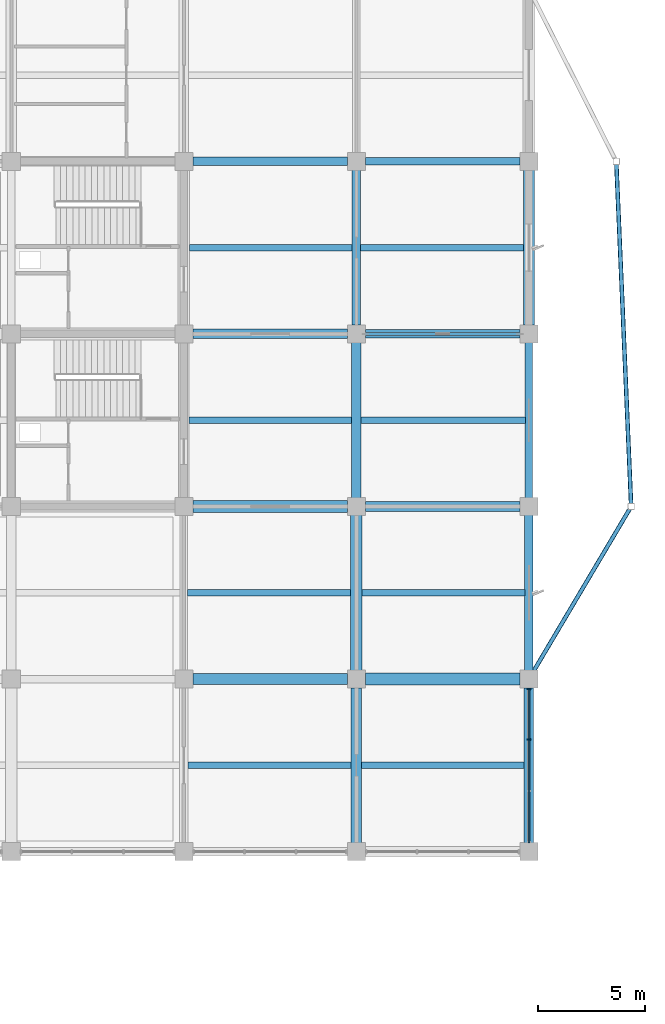
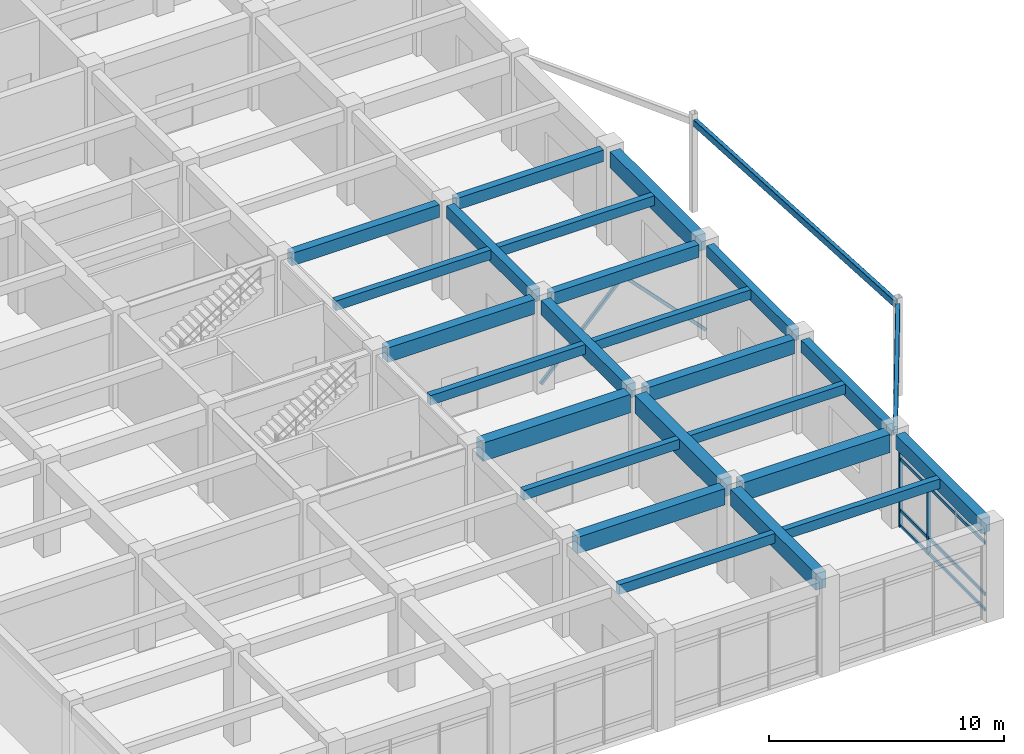
# One storey, part 40 of 99: 26 beams, 8 members, 1 element without a shape of its own.
"""IFC4 building model written with IfcOpenShell, lengths in metres."""

from ifc_helpers import new_model, si_unit, direction, frame, origin, origin_2d, place, context, subcontext, project, spatial, rectangle, hollow_rectangle, extrude, material, layer, layer_set, material_profile, profile_set, type_object, element, aggregate, save


model = new_model("IFC4")

# Units and contexts
model_context = context("Model", 3, precision=1e-05, world=origin(), true_north=direction((0.0, 1.0)))
body_context = subcontext(model_context, "Body", "Model", "MODEL_VIEW")
ifc_project = project(units=[si_unit("LENGTHUNIT", "METRE"), si_unit("AREAUNIT", "SQUARE_METRE"), si_unit("VOLUMEUNIT", "CUBIC_METRE"), si_unit("PLANEANGLEUNIT", "RADIAN"), si_unit("MASSUNIT", "GRAM", prefix="KILO")], contexts=[model_context])

# Site, building, storey
site_placement = place(None, origin())
site = spatial("IfcSite", under=ifc_project, at=site_placement, CompositionType="ELEMENT")
building_placement = place(site_placement, origin())
building = spatial("IfcBuilding", under=site, at=building_placement, Name="Vaudrelin Polytechnic", CompositionType="ELEMENT")
storey_placement = place(building_placement, origin())
storey = spatial("IfcBuildingStorey", under=building, at=storey_placement, Name="L00", CompositionType="ELEMENT", Elevation=0.0)

# Beams
ifc_material_1 = material(Name="Concrete 40 MPa", Category="concrete")
ifc_material_profile_1 = material_profile(ifc_material_1, rectangle(XDim=0.35009765625, YDim=0.60009765625, at=origin_2d()), Name="RC350x600")
ifc_profile_set_1 = profile_set([ifc_material_profile_1], Name="Concrete 40 MPa")
beam_type_1 = type_object("IfcBeamType", Name="BM-BM-RC3560", PredefinedType="BEAM", material=ifc_profile_set_1)
beam_1_placement = place(storey_placement, frame((170.10009765625, 32.81005859375, 4.52001953125), z_axis=(0.0, 1.0, 0.0), x_axis=(-1.0, 0.0, 0.0)))
element("IfcBeam", 1, at=beam_1_placement, inside=storey, type_object=beam_type_1, Name="L00 Y-beam 22-5", PredefinedType="BEAM", context=body_context, shape_type="SweptSolid", body=[
    extrude(rectangle(XDim=0.35009765625, YDim=0.60009765625, at=origin_2d()), origin(), (0.0, 0.0, 1.0), 7.280029296875),
])
beam_2_placement = place(storey_placement, frame((162.4208984375, 48.60009765625, 4.52001953125), z_axis=(1.0, 0.0, 0.0), x_axis=(0.0, 1.0, 0.0)))
element("IfcBeam", 2, at=beam_2_placement, inside=storey, type_object=beam_type_1, Name="L00 X-beam 21-7", PredefinedType="BEAM", context=body_context, shape_type="SweptSolid", body=[
    extrude(rectangle(XDim=0.35009765625, YDim=0.60009765625, at=origin_2d()), origin(), (0.0, 0.0, 1.0), 7.258056640625),
])
ifc_material_profile_2 = material_profile(ifc_material_1, rectangle(XDim=0.39990234375, YDim=0.64990234375, at=origin_2d()), Name="RC400x650")
ifc_profile_set_2 = profile_set([ifc_material_profile_2], Name="Concrete 40 MPa")
beam_type_2 = type_object("IfcBeamType", Name="BM-BM-RC4065", PredefinedType="BEAM", material=ifc_profile_set_2)
beam_3_placement = place(storey_placement, frame((162.0, 40.909912109375, 4.4951171875), z_axis=(0.0, 1.0, 0.0), x_axis=(-1.0, 0.0, 0.0)))
element("IfcBeam", 3, at=beam_3_placement, inside=storey, type_object=beam_type_2, Name="L00 Y-beam 21-6", PredefinedType="BEAM", context=body_context, shape_type="SweptSolid", body=[
    extrude(rectangle(XDim=0.39990234375, YDim=0.64990234375, at=origin_2d()), origin(), (0.0, 0.0, 1.0), 7.280029296875),
])
for number, where, z_axis, x_axis, name in (
    (4, (154.321044921875, 48.60009765625, 4.4951171875), (1.0, 0.0, 0.0), (0.0, 1.0, 0.0), "L00 X-beam 20-7"),
    (5, (162.4208984375, 40.5, 4.4951171875), (1.0, 0.0, 0.0), (0.0, 1.0, 0.0), "L00 X-beam 21-6"),
):
    element("IfcBeam", number, at=place(storey_placement, frame(where, z_axis=z_axis, x_axis=x_axis)), inside=storey, type_object=beam_type_2, Name=name, PredefinedType="BEAM", context=body_context, shape_type="SweptSolid", body=[
        extrude(rectangle(XDim=0.39990234375, YDim=0.64990234375, at=origin_2d()), origin(), (0.0, 0.0, 1.0), 7.258056640625),
    ])
ifc_material_profile_3 = material_profile(ifc_material_1, rectangle(XDim=0.449951171875, YDim=0.75, at=origin_2d()), Name="RC450x750")
ifc_profile_set_3 = profile_set([ifc_material_profile_3], Name="Concrete 40 MPa")
beam_type_3 = type_object("IfcBeamType", Name="BM-BM-RC4575", PredefinedType="BEAM", material=ifc_profile_set_3)
beam_4_placement = place(storey_placement, frame((162.0, 32.81005859375, 4.445068359375), z_axis=(0.0, 1.0, 0.0), x_axis=(-1.0, 0.0, 0.0)))
element("IfcBeam", 6, at=beam_4_placement, inside=storey, type_object=beam_type_3, Name="L00 Y-beam 21-5", PredefinedType="BEAM", context=body_context, shape_type="SweptSolid", body=[
    extrude(rectangle(XDim=0.449951171875, YDim=0.75, at=origin_2d()), origin(), (0.0, 0.0, 1.0), 7.280029296875),
])
beam_5_placement = place(storey_placement, frame((170.10009765625, 16.610107421875, 4.445068359375), z_axis=(0.0, 1.0, 0.0), x_axis=(-1.0, 0.0, 0.0)))
element("IfcBeam", 7, at=beam_5_placement, inside=storey, type_object=beam_type_3, Name="L00 Y-beam 22-3", PredefinedType="BEAM", context=body_context, shape_type="SweptSolid", body=[
    extrude(rectangle(XDim=0.449951171875, YDim=0.75, at=origin_2d()), origin(), (0.0, 0.0, 1.0), 7.27978515625),
])
for number, where, z_axis, x_axis, name in (
    (8, (154.321044921875, 40.5, 4.445068359375), (1.0, 0.0, 0.0), (0.0, 1.0, 0.0), "L00 X-beam 20-6"),
    (9, (162.4208984375, 32.39990234375, 4.445068359375), (1.0, 0.0, 0.0), (0.0, 1.0, 0.0), "L00 X-beam 21-5"),
):
    element("IfcBeam", number, at=place(storey_placement, frame(where, z_axis=z_axis, x_axis=x_axis)), inside=storey, type_object=beam_type_3, Name=name, PredefinedType="BEAM", context=body_context, shape_type="SweptSolid", body=[
        extrude(rectangle(XDim=0.449951171875, YDim=0.75, at=origin_2d()), origin(), (0.0, 0.0, 1.0), 7.258056640625),
    ])
ifc_material_profile_4 = material_profile(ifc_material_1, rectangle(XDim=0.5, YDim=0.85009765625, at=origin_2d()), Name="RC500x850")
ifc_profile_set_4 = profile_set([ifc_material_profile_4], Name="Concrete 40 MPa")
beam_type_4 = type_object("IfcBeamType", Name="BM-BM-RC5085", PredefinedType="BEAM", material=ifc_profile_set_4)
beam_6_placement = place(storey_placement, frame((162.0, 16.610107421875, 4.39501953125), z_axis=(0.0, 1.0, 0.0), x_axis=(-1.0, 0.0, 0.0)))
element("IfcBeam", 10, at=beam_6_placement, inside=storey, type_object=beam_type_4, Name="L00 Y-beam 21-3", PredefinedType="BEAM", context=body_context, shape_type="SweptSolid", body=[
    extrude(rectangle(XDim=0.5, YDim=0.85009765625, at=origin_2d()), origin(), (0.0, 0.0, 1.0), 7.27978515625),
])
beam_7_placement = place(storey_placement, frame((170.10009765625, 40.909912109375, 4.39501953125), z_axis=(0.0, 1.0, 0.0), x_axis=(-1.0, 0.0, 0.0)))
element("IfcBeam", 11, at=beam_7_placement, inside=storey, type_object=beam_type_4, Name="L00 Y-beam 22-6", PredefinedType="BEAM", context=body_context, shape_type="SweptSolid", body=[
    extrude(rectangle(XDim=0.5, YDim=0.85009765625, at=origin_2d()), origin(), (0.0, 0.0, 1.0), 7.280029296875),
])
beam_8_placement = place(storey_placement, frame((154.321044921875, 24.300048828125, 4.39501953125), z_axis=(1.0, 0.0, 0.0), x_axis=(0.0, 1.0, 0.0)))
element("IfcBeam", 12, at=beam_8_placement, inside=storey, type_object=beam_type_4, Name="L00 X-beam 20-4", PredefinedType="BEAM", context=body_context, shape_type="SweptSolid", body=[
    extrude(rectangle(XDim=0.5, YDim=0.85009765625, at=origin_2d()), origin(), (0.0, 0.0, 1.0), 7.258056640625),
])
ifc_material_2 = material(Name="Concrete 50 MPa", Category="concrete")
ifc_material_profile_5 = material_profile(ifc_material_2, rectangle(XDim=0.550048828125, YDim=0.949951171875, at=origin_2d()), Name="RC550x950")
ifc_profile_set_5 = profile_set([ifc_material_profile_5], Name="Concrete 50 MPa")
beam_type_5 = type_object("IfcBeamType", Name="BM-BM-RC5595", PredefinedType="BEAM", material=ifc_profile_set_5)
beam_9_placement = place(storey_placement, frame((162.0, 24.7099609375, 4.344970703125), z_axis=(0.0, 1.0, 0.0), x_axis=(-1.0, 0.0, 0.0)))
element("IfcBeam", 13, at=beam_9_placement, inside=storey, type_object=beam_type_5, Name="L00 Y-beam 21-4", PredefinedType="BEAM", context=body_context, shape_type="SweptSolid", body=[
    extrude(rectangle(XDim=0.550048828125, YDim=0.949951171875, at=origin_2d()), origin(), (0.0, 0.0, 1.0), 7.280029296875),
])
for number, where, z_axis, x_axis, name in (
    (14, (154.321044921875, 32.39990234375, 4.344970703125), (1.0, 0.0, 0.0), (0.0, 1.0, 0.0), "L00 X-beam 20-5"),
    (15, (162.4208984375, 24.300048828125, 4.344970703125), (1.0, 0.0, 0.0), (0.0, 1.0, 0.0), "L00 X-beam 21-4"),
):
    element("IfcBeam", number, at=place(storey_placement, frame(where, z_axis=z_axis, x_axis=x_axis)), inside=storey, type_object=beam_type_5, Name=name, PredefinedType="BEAM", context=body_context, shape_type="SweptSolid", body=[
        extrude(rectangle(XDim=0.550048828125, YDim=0.949951171875, at=origin_2d()), origin(), (0.0, 0.0, 1.0), 7.258056640625),
    ])
ifc_material_profile_6 = material_profile(ifc_material_1, rectangle(XDim=0.300048828125, YDim=0.5, at=origin_2d()), Name="RC300x500")
ifc_profile_set_6 = profile_set([ifc_material_profile_6], Name="Concrete 40 MPa")
beam_type_6 = type_object("IfcBeamType", Name="BM-JS-RC3050", PredefinedType="JOIST", material=ifc_profile_set_6)
for number, where, z_axis, x_axis, name in (
    (16, (154.095947265625, 20.25, 4.570068359375), (1.0, 0.0, 0.0), (0.0, 1.0, 0.0), "L00 floor joist 20-3"),
    (17, (154.071044921875, 28.35009765625, 4.570068359375), (1.0, 0.0, 0.0), (0.0, 1.0, 0.0), "L00 floor joist 20-4"),
):
    element("IfcBeam", number, at=place(storey_placement, frame(where, z_axis=z_axis, x_axis=x_axis)), inside=storey, type_object=beam_type_6, Name=name, PredefinedType="JOIST", context=body_context, shape_type="SweptSolid", body=[
        extrude(rectangle(XDim=0.300048828125, YDim=0.5, at=origin_2d()), origin(), (0.0, 0.0, 1.0), 7.657958984375),
    ])
for number, where, z_axis, x_axis, name in (
    (18, (154.14599609375, 36.449951171875, 4.570068359375), (1.0, 0.0, 0.0), (0.0, 1.0, 0.0), "L00 floor joist 20-5"),
    (19, (154.1708984375, 44.550048828125, 4.570068359375), (1.0, 0.0, 0.0), (0.0, 1.0, 0.0), "L00 floor joist 20-6"),
):
    element("IfcBeam", number, at=place(storey_placement, frame(where, z_axis=z_axis, x_axis=x_axis)), inside=storey, type_object=beam_type_6, Name=name, PredefinedType="JOIST", context=body_context, shape_type="SweptSolid", body=[
        extrude(rectangle(XDim=0.300048828125, YDim=0.5, at=origin_2d()), origin(), (0.0, 0.0, 1.0), 7.633056640625),
    ])
beam_10_placement = place(storey_placement, frame((162.24609375, 20.25, 4.570068359375), z_axis=(1.0, 0.0, 0.0), x_axis=(0.0, 1.0, 0.0)))
element("IfcBeam", 20, at=beam_10_placement, inside=storey, type_object=beam_type_6, Name="L00 floor joist 21-3", PredefinedType="JOIST", context=body_context, shape_type="SweptSolid", body=[
    extrude(rectangle(XDim=0.300048828125, YDim=0.5, at=origin_2d()), origin(), (0.0, 0.0, 1.0), 7.6328125),
])
beam_11_placement = place(storey_placement, frame((162.27099609375, 28.35009765625, 4.570068359375), z_axis=(1.0, 0.0, 0.0), x_axis=(0.0, 1.0, 0.0)))
element("IfcBeam", 21, at=beam_11_placement, inside=storey, type_object=beam_type_6, Name="L00 floor joist 21-4", PredefinedType="JOIST", context=body_context, shape_type="SweptSolid", body=[
    extrude(rectangle(XDim=0.300048828125, YDim=0.5, at=origin_2d()), origin(), (0.0, 0.0, 1.0), 7.633056640625),
])
beam_12_placement = place(storey_placement, frame((162.220947265625, 36.449951171875, 4.570068359375), z_axis=(1.0, 0.0, 0.0), x_axis=(0.0, 1.0, 0.0)))
element("IfcBeam", 22, at=beam_12_placement, inside=storey, type_object=beam_type_6, Name="L00 floor joist 21-5", PredefinedType="JOIST", context=body_context, shape_type="SweptSolid", body=[
    extrude(rectangle(XDim=0.300048828125, YDim=0.5, at=origin_2d()), origin(), (0.0, 0.0, 1.0), 7.7080078125),
])
beam_13_placement = place(storey_placement, frame((162.196044921875, 44.550048828125, 4.570068359375), z_axis=(1.0, 0.0, 0.0), x_axis=(0.0, 1.0, 0.0)))
element("IfcBeam", 23, at=beam_13_placement, inside=storey, type_object=beam_type_6, Name="L00 floor joist 21-6", PredefinedType="JOIST", context=body_context, shape_type="SweptSolid", body=[
    extrude(rectangle(XDim=0.300048828125, YDim=0.5, at=origin_2d()), origin(), (0.0, 0.0, 1.0), 7.657958984375),
])
ifc_material_3 = material(Name="Steel CSA G40.21 350WT", Category="steel")
ifc_material_profile_7 = material_profile(ifc_material_3, hollow_rectangle(XDim=0.202880859375, YDim=0.35595703125, WallThickness=0.0126953125, InnerFilletRadius=0.0126953125, OuterFilletRadius=0.025390625, at=origin_2d()), Name="HSS356x203x12.7")
ifc_profile_set_7 = profile_set([ifc_material_profile_7], Name="Steel CSA G40.21 350WT")
beam_type_7 = type_object("IfcBeamType", Name="BM-SP-HSS35", PredefinedType="SPANDREL", material=ifc_profile_set_7)
beam_14_placement = place(storey_placement, frame((170.17138671875, 24.42041015625, 4.64208984375), z_axis=(0.509799460083, 0.860293270053, 0.0), x_axis=(-0.860293270053, 0.509799460083, 0.0)))
element("IfcBeam", 24, at=beam_14_placement, inside=storey, type_object=beam_type_7, Name="Sculptural edge beam L00 E_OR1_B1", PredefinedType="SPANDREL", context=body_context, shape_type="SweptSolid", body=[
    extrude(hollow_rectangle(XDim=0.202880859375, YDim=0.35595703125, WallThickness=0.0126953125, InnerFilletRadius=0.0126953125, OuterFilletRadius=0.025390625, at=origin_2d()), origin(), (0.0, 0.0, 1.0), 9.135498046875),
])
beam_15_placement = place(storey_placement, frame((174.89404296875, 32.539794921875, 4.64208984375), z_axis=(-0.043173936739, 0.999067570881, 0.0), x_axis=(-0.999067570881, -0.043173936739, 0.0)))
element("IfcBeam", 25, at=beam_15_placement, inside=storey, type_object=beam_type_7, Name="Sculptural edge beam L00 E_OR1_B2", PredefinedType="SPANDREL", context=body_context, shape_type="SweptSolid", body=[
    extrude(hollow_rectangle(XDim=0.202880859375, YDim=0.35595703125, WallThickness=0.0126953125, InnerFilletRadius=0.0126953125, OuterFilletRadius=0.025390625, at=origin_2d()), origin(), (0.0, 0.0, 1.0), 15.935302734375),
])
ifc_material_profile_8 = material_profile(ifc_material_1, rectangle(XDim=0.39990234375, YDim=0.64990234375, at=origin_2d()), Name="RC400x650")
ifc_profile_set_8 = profile_set([ifc_material_profile_8], Name="Concrete 40 MPa")
beam_type_8 = type_object("IfcBeamType", Name="BM-SP-RC4065", PredefinedType="SPANDREL", material=ifc_profile_set_8)
beam_16_placement = place(storey_placement, frame((170.10009765625, 24.7099609375, 4.4951171875), z_axis=(0.0, 1.0, 0.0), x_axis=(-1.0, 0.0, 0.0)))
element("IfcBeam", 26, at=beam_16_placement, inside=storey, type_object=beam_type_8, Name="L00 Y-beam 22-4", PredefinedType="SPANDREL", context=body_context, shape_type="SweptSolid", body=[
    extrude(rectangle(XDim=0.39990234375, YDim=0.64990234375, at=origin_2d()), origin(), (0.0, 0.0, 1.0), 7.280029296875),
])

# Members
ifc_material_4 = material(Name="Steel CSA G40.21 350W", Category="steel")
ifc_material_profile_9 = material_profile(ifc_material_4, hollow_rectangle(XDim=0.152099609375, YDim=0.152099609375, WallThickness=0.008056640625, InnerFilletRadius=0.008056640625, OuterFilletRadius=0.01611328125, at=origin_2d()), Name="HSS152x152x8.0")
ifc_profile_set_9 = profile_set([ifc_material_profile_9], Name="Steel CSA G40.21 350W")
member_type_1 = type_object("IfcMemberType", Name="MEM-BF-D01", PredefinedType="BRACE", material=ifc_profile_set_9)
for number, where, z_axis, x_axis, name in (
    (27, (162.0, 40.5, 0.14990234375), (0.694123180934, 0.0, 0.719856242377), (0.0, 1.0, 0.0), "Chevron brace BF-10A"),
    (28, (170.10009765625, 40.5, 0.14990234375), (-0.694123180934, 0.0, 0.719856242377), (0.0, -1.0, 0.0), "Chevron brace BF-10B"),
):
    element("IfcMember", number, at=place(storey_placement, frame(where, z_axis=z_axis, x_axis=x_axis)), inside=storey, type_object=member_type_1, Name=name, PredefinedType="BRACE", context=body_context, shape_type="SweptSolid", body=[
        extrude(hollow_rectangle(XDim=0.152099609375, YDim=0.152099609375, WallThickness=0.008056640625, InnerFilletRadius=0.008056640625, OuterFilletRadius=0.01611328125, at=origin_2d()), origin(), (0.0, 0.0, 1.0), 5.834716796875),
    ])

# Curtain wall, members
ifc_material_5 = material(Name="Thermally broken anodised aluminium AA 6063-T6 and low-e triple glazing", Category="aluminium")
ifc_layer = layer(ifc_material_5, 0.199951171875)
ifc_layer_set = layer_set([ifc_layer], Name="Thermally broken anodised aluminium AA 6063-T6 and low-e triple glazing")
curtain_wall_type = type_object("IfcCurtainWallType", Name="CW-CW-LAB", PredefinedType="USERDEFINED", material=ifc_layer_set)
curtain_wall_placement = place(storey_placement, origin())
curtain_wall = element("IfcCurtainWall", 29, at=curtain_wall_placement, inside=storey, type_object=curtain_wall_type, Name="Curtain wall L00 E_V4_00", ObjectType="CURTAIN WALL", PredefinedType="USERDEFINED")
ifc_material_6 = material(Name="Anodised aluminium AA 6063-T6", Category="aluminium")
ifc_material_profile_10 = material_profile(ifc_material_6, rectangle(XDim=0.06494140625, YDim=0.179931640625, at=origin_2d()), Name="CWM-65x180")
ifc_profile_set_10 = profile_set([ifc_material_profile_10], Name="Anodised aluminium AA 6063-T6")
member_type_2 = type_object("IfcMemberType", Name="MEM-CWM-180", PredefinedType="MULLION", material=ifc_profile_set_10)
member_1_placement = place(storey_placement, frame((170.10009765625, 21.458984375, 0.0), z_axis=(0.0, 0.0, 1.0), x_axis=(0.0, 1.0, 0.0)))
member_1 = element("IfcMember", 30, at=member_1_placement, type_object=member_type_2, Name="E_V4_00 mullion 3", PredefinedType="MULLION", context=body_context, shape_type="SweptSolid", body=[
    extrude(rectangle(XDim=0.06494140625, YDim=0.179931640625, at=origin_2d()), origin(), (0.0, 0.0, 1.0), 4.072021484375),
])
member_2_placement = place(storey_placement, frame((170.10009765625, 23.8369140625, 0.0), z_axis=(0.0, 0.0, 1.0), x_axis=(0.0, 1.0, 0.0)))
member_2 = element("IfcMember", 31, at=member_2_placement, type_object=member_type_2, Name="E_V4_00 mullion 4", PredefinedType="MULLION", context=body_context, shape_type="SweptSolid", body=[
    extrude(rectangle(XDim=0.06494140625, YDim=0.179931640625, at=origin_2d()), origin(), (0.0, 0.0, 1.0), 4.072021484375),
])
ifc_material_profile_11 = material_profile(ifc_material_6, rectangle(XDim=0.074951171875, YDim=0.1650390625, at=origin_2d()), Name="CWT-75x165")
ifc_profile_set_11 = profile_set([ifc_material_profile_11], Name="Anodised aluminium AA 6063-T6")
member_type_3 = type_object("IfcMemberType", Name="MEM-CWT-165", PredefinedType="USERDEFINED", material=ifc_profile_set_11)
member_3_placement = place(storey_placement, frame((170.10009765625, 16.623046875, 0.050048828125), z_axis=(0.0, 1.0, 0.0), x_axis=(-1.0, 0.0, 0.0)))
member_3 = element("IfcMember", 32, at=member_3_placement, type_object=member_type_3, Name="E_V4_00 transom 1", ObjectType="TRANSOM", PredefinedType="USERDEFINED", context=body_context, shape_type="SweptSolid", body=[
    extrude(rectangle(XDim=0.074951171875, YDim=0.1650390625, at=origin_2d()), origin(), (0.0, 0.0, 1.0), 7.25390625),
])
member_4_placement = place(storey_placement, frame((170.10009765625, 16.623046875, 0.85009765625), z_axis=(0.0, 1.0, 0.0), x_axis=(-1.0, 0.0, 0.0)))
member_4 = element("IfcMember", 33, at=member_4_placement, type_object=member_type_3, Name="E_V4_00 transom 2", ObjectType="TRANSOM", PredefinedType="USERDEFINED", context=body_context, shape_type="SweptSolid", body=[
    extrude(rectangle(XDim=0.074951171875, YDim=0.1650390625, at=origin_2d()), origin(), (0.0, 0.0, 1.0), 7.25390625),
])
member_5_placement = place(storey_placement, frame((170.10009765625, 16.623046875, 3.52197265625), z_axis=(0.0, 1.0, 0.0), x_axis=(-1.0, 0.0, 0.0)))
member_5 = element("IfcMember", 34, at=member_5_placement, type_object=member_type_3, Name="E_V4_00 transom 3", ObjectType="TRANSOM", PredefinedType="USERDEFINED", context=body_context, shape_type="SweptSolid", body=[
    extrude(rectangle(XDim=0.074951171875, YDim=0.1650390625, at=origin_2d()), origin(), (0.0, 0.0, 1.0), 7.25390625),
])
member_6_placement = place(storey_placement, frame((170.10009765625, 16.623046875, 4.02197265625), z_axis=(0.0, 1.0, 0.0), x_axis=(-1.0, 0.0, 0.0)))
member_6 = element("IfcMember", 35, at=member_6_placement, type_object=member_type_3, Name="E_V4_00 transom 4", ObjectType="TRANSOM", PredefinedType="USERDEFINED", context=body_context, shape_type="SweptSolid", body=[
    extrude(rectangle(XDim=0.074951171875, YDim=0.1650390625, at=origin_2d()), origin(), (0.0, 0.0, 1.0), 7.25390625),
])
aggregate(curtain_wall, [member_1, member_2, member_3, member_4, member_5, member_6])

save(model, "model.ifc")
